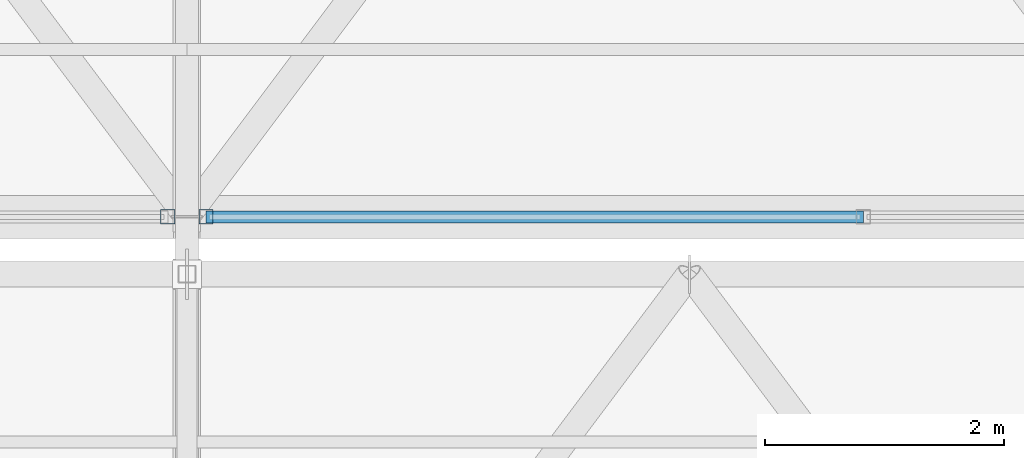
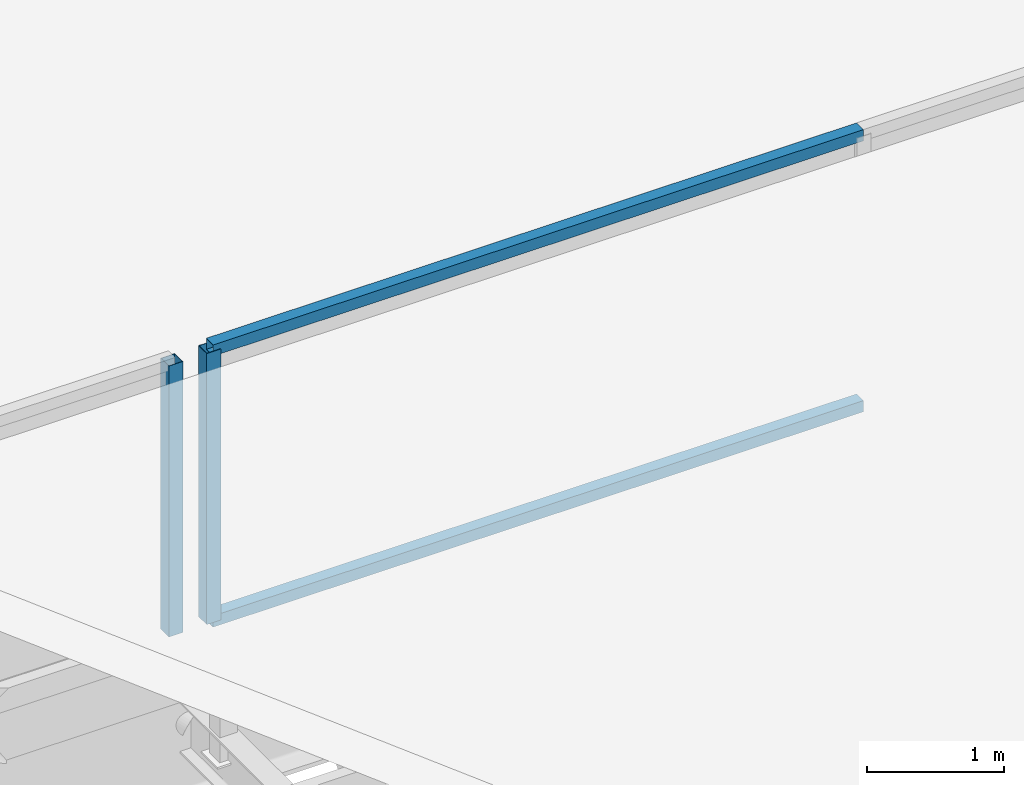
# One storey, part 121 of 217: 4 members, 2 elements without a shape of their own.
"""IFC4 building model written with IfcOpenShell, lengths in metres."""

import ifcopenshell
import ifcopenshell.guid

model = None  # the IFC model being written
_history = None  # IfcOwnerHistory: only IFC2X3 demands one
_inside = {}  # id of a spatial element -> (the spatial element, [elements in it])
_under = {}  # id of a project, library or spatial element -> (it, [spatial elements below it])
_declared = {}  # id of a project -> (the project, [libraries it declares])
_typed = {}  # id of a type object -> (the type object, [elements of that type])
_made_of = {}  # id of a material, layer set ... -> (it, [elements and type objects made of it])


def new_model(schema):
    """Start an empty IFC model of exactly this schema.

    Asked for "IFC4X3", IfcOpenShell would pick the latest addendum, in which some entities
    have other attributes; the version numbers below select the first issue.
    IFC2X3 requires an IfcOwnerHistory on every rooted entity: one is made here for all.
    """
    global model, _history
    if schema == "IFC4X3":
        model = ifcopenshell.file(schema_version=(4, 3, 0, 0))
    else:
        model = ifcopenshell.file(schema=schema)
    _inside.clear()
    _under.clear()
    _declared.clear()
    _typed.clear()
    _made_of.clear()
    _history = None
    if model.schema == "IFC2X3":
        org = make("IfcOrganization", Name="unknown")
        user = make(
            "IfcPersonAndOrganization",
            ThePerson=make("IfcPerson", FamilyName="unknown"),
            TheOrganization=org,
        )
        app = make(
            "IfcApplication",
            ApplicationDeveloper=org,
            Version="unknown",
            ApplicationFullName="unknown",
            ApplicationIdentifier="unknown",
        )
        _history = make(
            "IfcOwnerHistory",
            OwningUser=user,
            OwningApplication=app,
            ChangeAction="ADDED",
            CreationDate=0,
        )
    return model


def make(cls, **values):
    """One entity of the class cls with the attributes given. An attribute that is None is left unset."""
    return model.create_entity(
        cls, **{name: value for name, value in values.items() if value is not None}
    )


def rooted(cls, **values):
    """An entity with a GlobalId (a new one), such as an element, a storey or a relation."""
    return make(cls, GlobalId=ifcopenshell.guid.new(), OwnerHistory=_history, **values)


def si_unit(unit_type, name, prefix=None):
    """IfcSIUnit, for example si_unit("LENGTHUNIT", "METRE", prefix="MILLI")."""
    return make("IfcSIUnit", UnitType=unit_type, Prefix=prefix, Name=name)


def assignment(units):
    """IfcUnitAssignment: the units of a project."""
    return None if units is None else make("IfcUnitAssignment", Units=units)


def point(xyz):
    """IfcCartesianPoint."""
    return None if xyz is None else make("IfcCartesianPoint", Coordinates=xyz)


def direction(xyz):
    """IfcDirection."""
    return None if xyz is None else make("IfcDirection", DirectionRatios=xyz)


def frame(location, z_axis=None, x_axis=None):
    """IfcAxis2Placement3D, a coordinate frame: its origin and axes. An axis left out is left unset."""
    return make(
        "IfcAxis2Placement3D",
        Location=point(location),
        Axis=direction(z_axis),
        RefDirection=direction(x_axis),
    )


def frame_2d(location, x_axis=None):
    """IfcAxis2Placement2D, a coordinate frame in the plane: its origin and x axis."""
    return make(
        "IfcAxis2Placement2D", Location=point(location), RefDirection=direction(x_axis)
    )


def origin():
    """The frame at (0, 0, 0) with its axes left unset."""
    return frame((0.0, 0.0, 0.0))


def origin_2d():
    """The frame at (0, 0) in the plane with its x axis left unset."""
    return frame_2d((0.0, 0.0))


def place(relative_to, where):
    """IfcLocalPlacement: puts the frame where relative to a parent placement (None: the world)."""
    return make(
        "IfcLocalPlacement", PlacementRelTo=relative_to, RelativePlacement=where
    )


def context(
    kind, dimensions, precision=None, world=None, true_north=None, identifier=None
):
    """IfcGeometricRepresentationContext, for example the 3D "Model" context."""
    return make(
        "IfcGeometricRepresentationContext",
        ContextIdentifier=identifier,
        ContextType=kind,
        CoordinateSpaceDimension=dimensions,
        Precision=precision,
        WorldCoordinateSystem=world,
        TrueNorth=true_north,
    )


def subcontext(parent, identifier, kind, view, scale=None):
    """IfcGeometricRepresentationSubContext, for example "Body" below "Model"."""
    return make(
        "IfcGeometricRepresentationSubContext",
        ContextIdentifier=identifier,
        ContextType=kind,
        ParentContext=parent,
        TargetScale=scale,
        TargetView=view,
    )


def project(units=None, contexts=None):
    """IfcProject with its units and contexts."""
    return rooted(
        "IfcProject",
        Name="project",
        RepresentationContexts=contexts,
        UnitsInContext=assignment(units),
    )


def spatial(cls, under=None, at=None, **own):
    """A site, building, storey or space (cls), placed at a placement, below another one or the project."""
    s = rooted(cls, ObjectPlacement=at, **own)
    if under is not None:
        _under.setdefault(under.id(), (under, []))[1].append(s)
    return s


def profile(cls, at=None, kind="AREA", **sizes):
    """A parametric profile (cls). Its sizes go by their IFC names, for example OverallWidth=200.0."""
    return make(cls, ProfileType=kind, Position=at, **sizes)


def hollow_rectangle(**sizes):
    """IfcRectangleHollowProfileDef."""
    return profile("IfcRectangleHollowProfileDef", **sizes)


def extrude(swept, where, along, depth):
    """IfcExtrudedAreaSolid: the profile swept, set in the frame where, extruded along a direction by depth."""
    return make(
        "IfcExtrudedAreaSolid",
        SweptArea=swept,
        Position=where,
        ExtrudedDirection=direction(along),
        Depth=depth,
    )


def shape(context_of_items, identifier, shape_type, items):
    """IfcShapeRepresentation: the items that make up one representation, for example the "Body"."""
    return make(
        "IfcShapeRepresentation",
        ContextOfItems=context_of_items,
        RepresentationIdentifier=identifier,
        RepresentationType=shape_type,
        Items=items,
    )


def material(Name=None, Category=None):
    """IfcMaterial."""
    return make("IfcMaterial", Name=Name, Category=Category)


def material_profile(
    of_material, cross_section, Name=None, Category=None, Priority=None
):
    """IfcMaterialProfile: a cross section and its material."""
    return make(
        "IfcMaterialProfile",
        Name=Name,
        Material=of_material,
        Profile=cross_section,
        Priority=Priority,
        Category=Category,
    )


def profile_set(profiles, Name=None, composite=None):
    """IfcMaterialProfileSet."""
    return make(
        "IfcMaterialProfileSet",
        Name=Name,
        MaterialProfiles=profiles,
        CompositeProfile=composite,
    )


def made_of(thing, what):
    """Note that an element or type object is made of a material, layer set ...; save() writes the relation."""
    if what is not None:
        _made_of.setdefault(what.id(), (what, []))[1].append(thing)
    return thing


def type_object(cls, material=None, **own):
    """A type object (cls), such as IfcWallType, which elements share."""
    return made_of(rooted(cls, **own), material)


def element(
    cls,
    number,
    at=None,
    inside=None,
    cuts=None,
    type_object=None,
    material=None,
    context=None,
    identifier="Body",
    shape_type=None,
    held_by="IfcProductDefinitionShape",
    body=None,
    shapes=None,
    **own,
):
    """One element of the class cls, such as IfcWall. Its Tag is "e" and its number.

    at: its placement. inside: the storey or other place that contains it. cuts: it is an
    opening in that element (IfcRelVoidsElement). A single representation is given by context,
    identifier, shape_type and body (its items); several are given by shapes. held_by: the class
    of the entity that holds the representations. save() writes the other relations.
    """
    e = rooted(cls, Tag="e%d" % number, ObjectPlacement=at, **own)
    if body is not None:
        shapes = [shape(context, identifier, shape_type, body)]
    if shapes is not None:
        e.Representation = make(held_by, Representations=shapes)
    if inside is not None:
        _inside.setdefault(inside.id(), (inside, []))[1].append(e)
    if cuts is not None:
        rooted(
            "IfcRelVoidsElement", RelatingBuildingElement=cuts, RelatedOpeningElement=e
        )
    if type_object is not None:
        _typed.setdefault(type_object.id(), (type_object, []))[1].append(e)
    return made_of(e, material)


def aggregate(whole, parts):
    """IfcRelAggregates: a whole, such as a stair, and the parts it consists of."""
    return rooted("IfcRelAggregates", RelatingObject=whole, RelatedObjects=parts)


def save(model, path):
    """Write the relations noted so far, then the file.

    IfcRelAggregates (storeys below a building ...), IfcRelContainedInSpatialStructure (elements
    in a storey), IfcRelDefinesByType, IfcRelAssociatesMaterial and IfcRelDeclares: one each for
    every whole, place, type object, material and project.
    """
    for whole, parts in _under.values():
        aggregate(whole, parts)
    for where, things in _inside.values():
        rooted(
            "IfcRelContainedInSpatialStructure",
            RelatedElements=things,
            RelatingStructure=where,
        )
    for kind, things in _typed.values():
        rooted("IfcRelDefinesByType", RelatedObjects=things, RelatingType=kind)
    for what, things in _made_of.values():
        rooted("IfcRelAssociatesMaterial", RelatedObjects=things, RelatingMaterial=what)
    for by, libraries in _declared.values():
        rooted("IfcRelDeclares", RelatingContext=by, RelatedDefinitions=libraries)
    model.write(path)


model = new_model("IFC4")

# Units and contexts
model_context = context("Model", 3, precision=1e-05, world=origin(), true_north=direction((0.0, 1.0)))
body_context = subcontext(model_context, "Body", "Model", "MODEL_VIEW")
ifc_project = project(units=[si_unit("LENGTHUNIT", "METRE"), si_unit("AREAUNIT", "SQUARE_METRE"), si_unit("VOLUMEUNIT", "CUBIC_METRE"), si_unit("PLANEANGLEUNIT", "RADIAN"), si_unit("MASSUNIT", "GRAM", prefix="KILO")], contexts=[model_context])

# Site, building, storey
site_placement = place(None, origin())
site = spatial("IfcSite", under=ifc_project, at=site_placement, CompositionType="ELEMENT")
building_placement = place(site_placement, origin())
building = spatial("IfcBuilding", under=site, at=building_placement, Name="Zuvorla Pavilion Media Centre", CompositionType="ELEMENT")
storey_placement = place(building_placement, frame((0.0, 0.0, 9.60009765625)))
storey = spatial("IfcBuildingStorey", under=building, at=storey_placement, Name="L02", CompositionType="ELEMENT", Elevation=9.60009765625)

# Curtain wall, member
ifc_material_1 = material(Name="Unitised anodised aluminium and solar glass curtain wall", Category="aluminium")
curtain_wall_type = type_object("IfcCurtainWallType", Name="CW-SYS-88", PredefinedType="USERDEFINED", material=ifc_material_1)
curtain_wall_1_placement = place(storey_placement, origin())
curtain_wall_1 = element("IfcCurtainWall", 1, at=curtain_wall_1_placement, inside=storey, type_object=curtain_wall_type, Name="L02 curtain wall CW88 210", ObjectType="CURTAIN WALL", PredefinedType="USERDEFINED")
ifc_material_2 = material(Name="Anodised aluminium 6063-T6", Category="aluminium")
ifc_material_profile_1 = material_profile(ifc_material_2, hollow_rectangle(XDim=0.1201171875, YDim=0.1201171875, WallThickness=0.0048828125, at=origin_2d()), Name="ALU MULL 120x120")
ifc_profile_set_1 = profile_set([ifc_material_profile_1], Name="Anodised aluminium 6063-T6")
member_type_1 = type_object("IfcMemberType", Name="CW-MULL-120", PredefinedType="MULLION", material=ifc_profile_set_1)
member_1_placement = place(storey_placement, frame((117.0400390625, 107.840087890625, 0.0), z_axis=(0.0, 0.0, 1.0), x_axis=(1.0, 0.0, 0.0)))
member_1 = element("IfcMember", 2, at=member_1_placement, type_object=member_type_1, Name="CW88 mullion 4", PredefinedType="MULLION", context=body_context, shape_type="SweptSolid", body=[
    extrude(hollow_rectangle(XDim=0.1201171875, YDim=0.1201171875, WallThickness=0.0048828125, at=origin_2d()), origin(), (0.0, 0.0, 1.0), 2.419921875),
])
aggregate(curtain_wall_1, [member_1])

# Curtain wall, members
curtain_wall_2_placement = place(storey_placement, origin())
curtain_wall_2 = element("IfcCurtainWall", 3, at=curtain_wall_2_placement, inside=storey, type_object=curtain_wall_type, Name="L02 curtain wall CW88 211", ObjectType="CURTAIN WALL", PredefinedType="USERDEFINED")
member_2_placement = place(storey_placement, frame((117.360107421875, 107.840087890625, 0.0), z_axis=(0.0, 0.0, 1.0), x_axis=(1.0, 0.0, 0.0)))
member_2 = element("IfcMember", 4, at=member_2_placement, type_object=member_type_1, Name="CW88 mullion 1", PredefinedType="MULLION", context=body_context, shape_type="SweptSolid", body=[
    extrude(hollow_rectangle(XDim=0.1201171875, YDim=0.1201171875, WallThickness=0.0048828125, at=origin_2d()), origin(), (0.0, 0.0, 1.0), 2.419921875),
])
ifc_material_profile_2 = material_profile(ifc_material_2, hollow_rectangle(XDim=0.10009765625, YDim=0.10009765625, WallThickness=0.00439453125, at=origin_2d()), Name="ALU TRAN 100x100")
ifc_profile_set_2 = profile_set([ifc_material_profile_2], Name="Anodised aluminium 6063-T6")
member_type_2 = type_object("IfcMemberType", Name="CW-TRAN-100", PredefinedType="USERDEFINED", material=ifc_profile_set_2)
member_3_placement = place(storey_placement, frame((117.360107421875, 107.840087890625, 0.0), z_axis=(1.0, 0.0, 0.0), x_axis=(0.0, 1.0, 0.0)))
member_3 = element("IfcMember", 5, at=member_3_placement, type_object=member_type_2, Name="CW88 transom 1.1", ObjectType="TRANSOM", PredefinedType="USERDEFINED", context=body_context, shape_type="SweptSolid", body=[
    extrude(hollow_rectangle(XDim=0.10009765625, YDim=0.10009765625, WallThickness=0.00439453125, at=origin_2d()), origin(), (0.0, 0.0, 1.0), 5.4931640625),
])
member_4_placement = place(storey_placement, frame((117.360107421875, 107.840087890625, 2.419921875), z_axis=(1.0, 0.0, 0.0), x_axis=(0.0, 1.0, 0.0)))
member_4 = element("IfcMember", 6, at=member_4_placement, type_object=member_type_2, Name="CW88 transom 1.2", ObjectType="TRANSOM", PredefinedType="USERDEFINED", context=body_context, shape_type="SweptSolid", body=[
    extrude(hollow_rectangle(XDim=0.10009765625, YDim=0.10009765625, WallThickness=0.00439453125, at=origin_2d()), origin(), (0.0, 0.0, 1.0), 5.4931640625),
])
aggregate(curtain_wall_2, [member_2, member_3, member_4])

save(model, "model.ifc")
